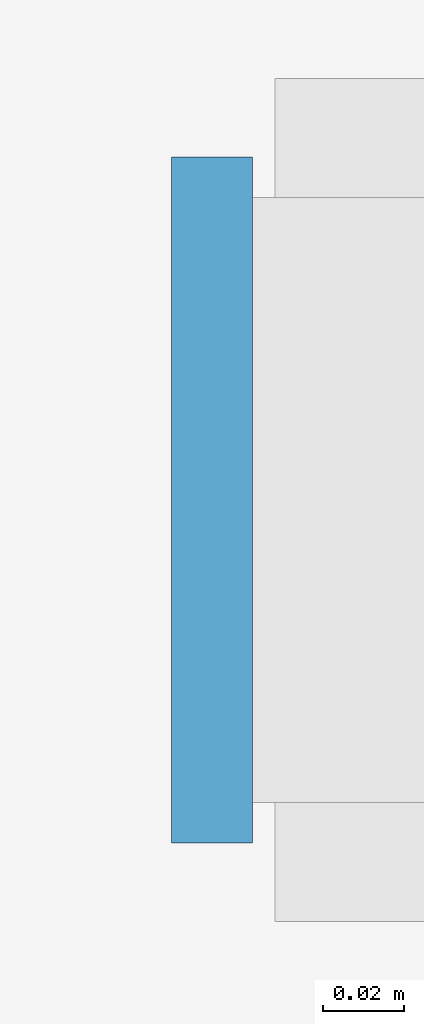
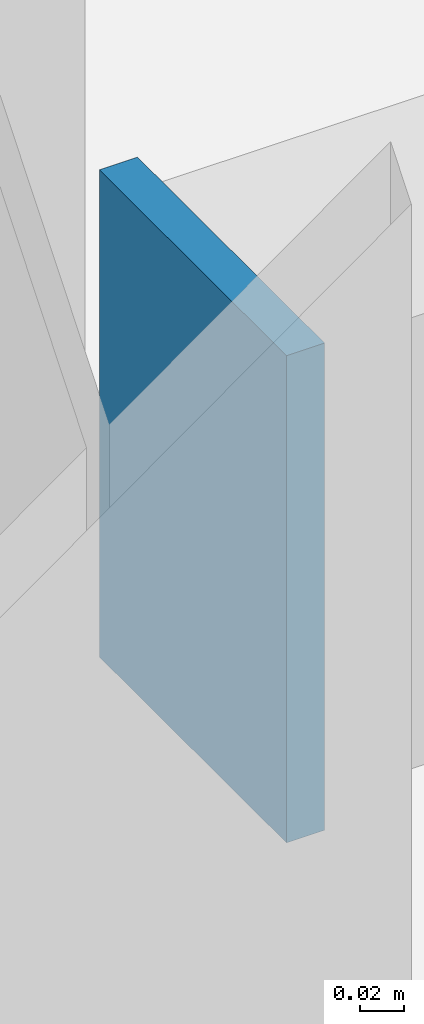
# One storey, part 152 of 188: 1 plate.
"""IFC4 building model written with IfcOpenShell, lengths in metres."""

from ifc_helpers import new_model, si_unit, direction, frame, origin, origin_2d, place, context, subcontext, project, spatial, rectangle, extrude, material, layer, layer_set, type_object, element, save


model = new_model("IFC4")

# Units and contexts
model_context = context("Model", 3, precision=1e-05, world=origin(), true_north=direction((0.0, 1.0)))
body_context = subcontext(model_context, "Body", "Model", "MODEL_VIEW")
ifc_project = project(units=[si_unit("LENGTHUNIT", "METRE"), si_unit("AREAUNIT", "SQUARE_METRE"), si_unit("VOLUMEUNIT", "CUBIC_METRE"), si_unit("PLANEANGLEUNIT", "RADIAN"), si_unit("MASSUNIT", "GRAM", prefix="KILO")], contexts=[model_context])

# Site, building, storey
site_placement = place(None, origin())
site = spatial("IfcSite", under=ifc_project, at=site_placement, CompositionType="ELEMENT")
building_placement = place(site_placement, origin())
building = spatial("IfcBuilding", under=site, at=building_placement, Name="Pandanus Reach Market Hall", CompositionType="ELEMENT")
storey_placement = place(building_placement, origin())
storey = spatial("IfcBuildingStorey", under=building, at=storey_placement, Name="L00", CompositionType="ELEMENT", Elevation=0.0)

# Plate
ifc_material = material(Name="Steel Grade 350 (350 MPa)", Category="steel")
ifc_layer = layer(ifc_material, 0.02001953125, Name="CP-PL20")
ifc_layer_set = layer_set([ifc_layer], Name="Steel Grade 350 (350 MPa)")
plate_type = type_object("IfcPlateType", Name="CP-PL20", PredefinedType="SHEET", material=ifc_layer_set)
plate_placement = place(storey_placement, frame((60.139892578125, 76.800048828125, 3.014892578125), z_axis=(0.0, 0.0, 1.0), x_axis=(1.0, 0.0, 0.0)))
element("IfcPlate", 1, at=plate_placement, inside=storey, type_object=plate_type, Name="Hollow lintel end cap plate CP-PL20 7A", PredefinedType="SHEET", context=body_context, shape_type="SweptSolid", body=[
    extrude(rectangle(XDim=0.02001953125, YDim=0.169921875, at=origin_2d()), origin(), (0.0, 0.0, 1.0), 0.27001953125),
])

save(model, "model.ifc")
